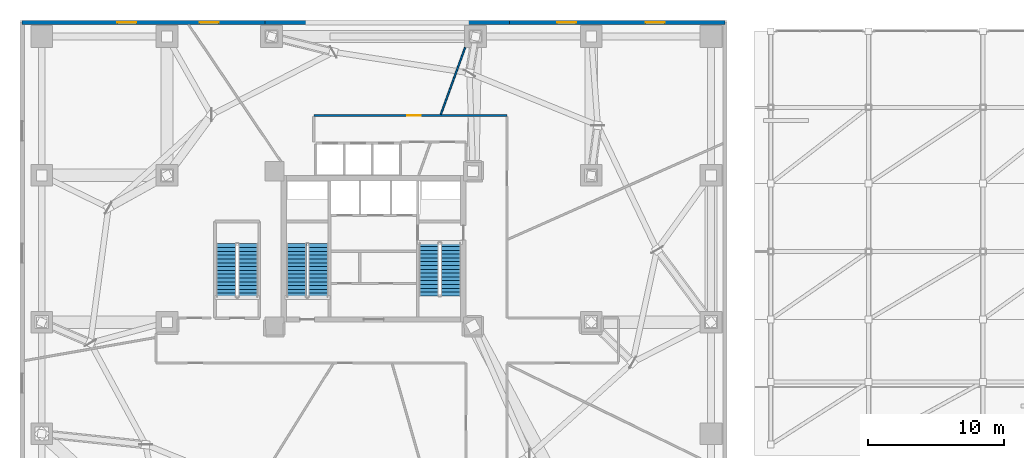
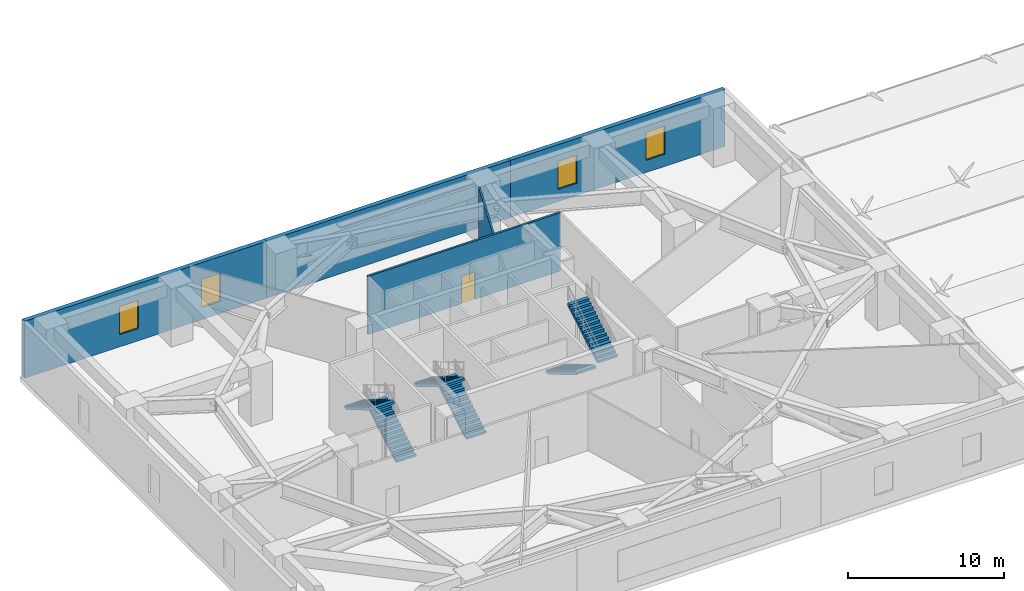
# One storey, part 11 of 13: 6 stair flights, 5 walls, 4 windows, 1 door, 5 openings, 3 elements without a shape of their own.
"""IFC4 building model written with IfcOpenShell, lengths in metres."""

from ifc_helpers import new_model, si_unit, direction, frame, frame_2d, origin, place, context, subcontext, project, spatial, polyline, rectangle, outline, extrude, source, transform, mapped, material, layer, layer_set, type_object, type_shapes, element, fill, aggregate, save


model = new_model("IFC4")

# Units and contexts
model_context = context("Model", 3, precision=1e-05, world=origin(), true_north=direction((0.0, 1.0)))
body_context = subcontext(model_context, "Body", "Model", "MODEL_VIEW")
ifc_project = project(units=[si_unit("LENGTHUNIT", "METRE"), si_unit("AREAUNIT", "SQUARE_METRE"), si_unit("VOLUMEUNIT", "CUBIC_METRE"), si_unit("PLANEANGLEUNIT", "RADIAN"), si_unit("MASSUNIT", "GRAM", prefix="KILO")], contexts=[model_context])

# Site, building, storey
site_placement = place(None, origin())
site = spatial("IfcSite", under=ifc_project, at=site_placement, CompositionType="ELEMENT")
building_placement = place(site_placement, origin())
building = spatial("IfcBuilding", under=site, at=building_placement, Name="Talar Marvaseh", CompositionType="ELEMENT")
storey_placement = place(building_placement, frame((0.0, 0.0, 19.0)))
storey = spatial("IfcBuildingStorey", under=building, at=storey_placement, Name="L04", CompositionType="ELEMENT", Elevation=19.0)

# Wall, openings, windows
ifc_material_1 = material(Name="Precast concrete C45/55", Category="concrete")
ifc_layer_1 = layer(ifc_material_1, 0.31005859375)
ifc_layer_set_1 = layer_set([ifc_layer_1], Name="Precast concrete C45/55")
wall_type_1 = type_object("IfcWallType", Name="Architectural Precast Limestone Podium Facade Wall 310", PredefinedType="SOLIDWALL", material=ifc_layer_set_1)
wall_1_placement = place(storey_placement, frame((0.159912109375, 47.840087890625, 0.0), z_axis=(0.0, 0.0, 1.0), x_axis=(1.0, 0.0, 0.0)))
wall_1 = element("IfcWall", 1, at=wall_1_placement, inside=storey, type_object=wall_type_1, Name="L04 Podium North-West Facade Wall", PredefinedType="SOLIDWALL", context=body_context, shape_type="SweptSolid", body=[
    extrude(rectangle(XDim=17.840087890625, YDim=0.31005859375, at=frame_2d((8.919921875, 0.0))), origin(), (0.0, 0.0, 1.0), 4.449951171875),
])
opening_1_placement = place(wall_1_placement, frame((7.0, 0.0, 0.949951171875)))
opening_1 = element("IfcOpeningElement", 2, at=opening_1_placement, cuts=wall_1, Name="Opening WN-POD14", PredefinedType="OPENING", context=body_context, shape_type="SweptSolid", body=[
    extrude(rectangle(XDim=1.39990234375, YDim=2.199951171875, at=frame_2d((0.699951171875, 1.10009765625))), frame((0.0, 0.1650390625, 0.0), z_axis=(0.0, -1.0, 0.0), x_axis=(1.0, 0.0, 0.0)), (0.0, 0.0, 1.0), 0.330078125),
])
opening_2_placement = place(wall_1_placement, frame((13.050048828125, 0.0, 0.949951171875)))
opening_2 = element("IfcOpeningElement", 3, at=opening_2_placement, cuts=wall_1, Name="Opening WN-POD14", PredefinedType="OPENING", context=body_context, shape_type="SweptSolid", body=[
    extrude(rectangle(XDim=1.39990234375, YDim=2.199951171875, at=frame_2d((0.699951171875, 1.10009765625))), frame((0.0, 0.1650390625, 0.0), z_axis=(0.0, -1.0, 0.0), x_axis=(1.0, 0.0, 0.0)), (0.0, 0.0, 1.0), 0.330078125),
])
ifc_material_2 = material(Name="Laminated Low-E Solar Glass", Category="glass")
window_type = type_object("IfcWindowType", Name="Podium Mezzanine Solar Window 1400x2200", PartitioningType="SINGLE_PANEL", PredefinedType="WINDOW", material=ifc_material_2)
shared_shape_1 = source(origin(), body_context, "Body", "SweptSolid", [
    extrude(rectangle(XDim=1.39990234375, YDim=2.199951171875, at=frame_2d((0.699951171875, 1.10009765625))), frame((0.0, 0.030029296875, 0.0), z_axis=(0.0, -1.0, 0.0), x_axis=(1.0, 0.0, 0.0)), (0.0, 0.0, 1.0), 0.06005859375),
])
type_shapes(window_type, [shared_shape_1])
window_1_placement = place(opening_1_placement, origin())
window_1 = element("IfcWindow", 4, at=window_1_placement, inside=storey, type_object=window_type, Name="L04 Podium Solar Window", OverallHeight=2.199951171875, OverallWidth=1.39990234375, PartitioningType="SINGLE_PANEL", PredefinedType="WINDOW", context=body_context, shape_type="MappedRepresentation", body=[
    mapped(shared_shape_1, transform((0.0, 0.0, 0.0), x_axis=(1.0, 0.0, 0.0), y_axis=(0.0, 1.0, 0.0), z_axis=(0.0, 0.0, 1.0), scale=1.0)),
])
fill(opening_1, window_1)
window_2_placement = place(opening_2_placement, origin())
window_2 = element("IfcWindow", 5, at=window_2_placement, inside=storey, type_object=window_type, Name="L04 Podium Solar Window", OverallHeight=2.199951171875, OverallWidth=1.39990234375, PartitioningType="SINGLE_PANEL", PredefinedType="WINDOW", context=body_context, shape_type="MappedRepresentation", body=[
    mapped(shared_shape_1, transform((0.0, 0.0, 0.0), x_axis=(1.0, 0.0, 0.0), y_axis=(0.0, 1.0, 0.0), z_axis=(0.0, 0.0, 1.0), scale=1.0)),
])
fill(opening_2, window_2)

# Wall
wall_2_placement = place(storey_placement, frame((18.0, 47.840087890625, 0.0), z_axis=(0.0, 0.0, 1.0), x_axis=(1.0, 0.0, 0.0)))
element("IfcWall", 6, at=wall_2_placement, inside=storey, type_object=wall_type_1, Name="L04 Podium North Transfer Facade Wall", PredefinedType="SOLIDWALL", context=body_context, shape_type="SweptSolid", body=[
    extrude(rectangle(XDim=18.0, YDim=0.31005859375, at=frame_2d((9.0, 0.0))), origin(), (0.0, 0.0, 1.0), 4.449951171875),
])

# Wall, openings, windows
wall_3_placement = place(storey_placement, frame((36.0, 47.840087890625, 0.0), z_axis=(0.0, 0.0, 1.0), x_axis=(1.0, 0.0, 0.0)))
wall_3 = element("IfcWall", 7, at=wall_3_placement, inside=storey, type_object=wall_type_1, Name="L04 Podium North-East Facade Wall", PredefinedType="SOLIDWALL", context=body_context, shape_type="SweptSolid", body=[
    extrude(rectangle(XDim=15.840087890625, YDim=0.31005859375, at=frame_2d((7.919921875, 0.0))), origin(), (0.0, 0.0, 1.0), 4.449951171875),
])
opening_3_placement = place(wall_3_placement, frame((3.5, 0.0, 0.949951171875)))
opening_3 = element("IfcOpeningElement", 8, at=opening_3_placement, cuts=wall_3, Name="Opening WN-POD14", PredefinedType="OPENING", context=body_context, shape_type="SweptSolid", body=[
    extrude(rectangle(XDim=1.39990234375, YDim=2.199951171875, at=frame_2d((0.699951171875, 1.10009765625))), frame((0.0, 0.1650390625, 0.0), z_axis=(0.0, -1.0, 0.0), x_axis=(1.0, 0.0, 0.0)), (0.0, 0.0, 1.0), 0.330078125),
])
opening_4_placement = place(wall_3_placement, frame((10.0, 0.0, 0.949951171875)))
opening_4 = element("IfcOpeningElement", 9, at=opening_4_placement, cuts=wall_3, Name="Opening WN-POD14", PredefinedType="OPENING", context=body_context, shape_type="SweptSolid", body=[
    extrude(rectangle(XDim=1.39990234375, YDim=2.199951171875, at=frame_2d((0.699951171875, 1.10009765625))), frame((0.0, 0.1650390625, 0.0), z_axis=(0.0, -1.0, 0.0), x_axis=(1.0, 0.0, 0.0)), (0.0, 0.0, 1.0), 0.330078125),
])
window_3_placement = place(opening_3_placement, origin())
window_3 = element("IfcWindow", 10, at=window_3_placement, inside=storey, type_object=window_type, Name="L04 Podium Solar Window", OverallHeight=2.199951171875, OverallWidth=1.39990234375, PartitioningType="SINGLE_PANEL", PredefinedType="WINDOW", context=body_context, shape_type="MappedRepresentation", body=[
    mapped(shared_shape_1, transform((0.0, 0.0, 0.0), x_axis=(1.0, 0.0, 0.0), y_axis=(0.0, 1.0, 0.0), z_axis=(0.0, 0.0, 1.0), scale=1.0)),
])
fill(opening_3, window_3)
window_4_placement = place(opening_4_placement, origin())
window_4 = element("IfcWindow", 11, at=window_4_placement, inside=storey, type_object=window_type, Name="L04 Podium Solar Window", OverallHeight=2.199951171875, OverallWidth=1.39990234375, PartitioningType="SINGLE_PANEL", PredefinedType="WINDOW", context=body_context, shape_type="MappedRepresentation", body=[
    mapped(shared_shape_1, transform((0.0, 0.0, 0.0), x_axis=(1.0, 0.0, 0.0), y_axis=(0.0, 1.0, 0.0), z_axis=(0.0, 0.0, 1.0), scale=1.0)),
])
fill(opening_4, window_4)

# Wall, opening, door
ifc_material_3 = material(Name="Gypsum Board Partition Assembly")
ifc_layer_2 = layer(ifc_material_3, 0.155029296875)
ifc_layer_set_2 = layer_set([ifc_layer_2], Name="Gypsum Board Partition Assembly")
wall_type_2 = type_object("IfcWallType", Name="Corridor Fire-Rated Acoustic Partition 155", PredefinedType="PARTITIONING", material=ifc_layer_set_2)
wall_4_placement = place(storey_placement, frame((21.60009765625, 41.0, 0.0), z_axis=(0.0, 0.0, 1.0), x_axis=(1.0, 0.0, 0.0)))
wall_4 = element("IfcWall", 12, at=wall_4_placement, inside=storey, type_object=wall_type_2, Name="L04 Interior Partition Wall", PredefinedType="PARTITIONING", context=body_context, shape_type="SweptSolid", body=[
    extrude(rectangle(XDim=14.199951171875, YDim=0.155029296875, at=frame_2d((7.10009765625, 0.0))), origin(), (0.0, 0.0, 1.0), 4.550048828125),
])
opening_5_placement = place(wall_4_placement, frame((6.880859375, 0.0, 0.0)))
opening_5 = element("IfcOpeningElement", 13, at=opening_5_placement, cuts=wall_4, Name="Opening DR-RM100", PredefinedType="OPENING", context=body_context, shape_type="SweptSolid", body=[
    extrude(rectangle(XDim=1.0, YDim=2.14990234375, at=frame_2d((0.5, 1.074951171875))), frame((0.0, 0.08740234375, 0.0), z_axis=(0.0, -1.0, 0.0), x_axis=(1.0, 0.0, 0.0)), (0.0, 0.0, 1.0), 0.175048828125),
])
ifc_material_4 = material(Name="Acoustic Engineered Oak Timber", Category="wood")
door_type = type_object("IfcDoorType", Name="Corridor Fire-Rated Gallery Door 1000x2150", OperationType="NOTDEFINED", PredefinedType="DOOR", material=ifc_material_4)
shared_shape_2 = source(origin(), body_context, "Body", "SweptSolid", [
    extrude(rectangle(XDim=1.0, YDim=2.14990234375, at=frame_2d((0.5, 1.074951171875))), frame((0.0, 0.02490234375, 0.0), z_axis=(0.0, -1.0, 0.0), x_axis=(1.0, 0.0, 0.0)), (0.0, 0.0, 1.0), 0.050048828125),
])
type_shapes(door_type, [shared_shape_2])
door_placement = place(opening_5_placement, origin())
door = element("IfcDoor", 14, at=door_placement, inside=storey, type_object=door_type, Name="L04 Podium Transfer Truss Mechanical Plant Room 2 Door", OperationType="SINGLE_SWING_RIGHT", OverallHeight=2.14990234375, OverallWidth=1.0, PredefinedType="DOOR", context=body_context, shape_type="MappedRepresentation", body=[
    mapped(shared_shape_2, transform((0.0, 0.0, 0.0), x_axis=(1.0, 0.0, 0.0), y_axis=(0.0, 1.0, 0.0), z_axis=(0.0, 0.0, 1.0), scale=1.0)),
])
fill(opening_5, door)

# Wall
ifc_layer_3 = layer(ifc_material_3, 0.1201171875)
ifc_layer_set_3 = layer_set([ifc_layer_3], Name="Gypsum Board Partition Assembly")
wall_type_3 = type_object("IfcWallType", Name="Demountable Studio Room Partition 120", PredefinedType="PARTITIONING", material=ifc_layer_set_3)
wall_5_placement = place(storey_placement, frame((30.9404296875, 41.08349609375, 0.0), z_axis=(0.0, 0.0, 1.0), x_axis=(0.34265121701, 0.939462688712, 0.0)))
element("IfcWall", 15, at=wall_5_placement, inside=storey, type_object=wall_type_3, Name="L04 Interior Partition Wall", PredefinedType="PARTITIONING", context=body_context, shape_type="SweptSolid", body=[
    extrude(rectangle(XDim=5.22265625, YDim=0.1201171875, at=frame_2d((2.611328125, 0.0))), origin(), (0.0, 0.0, 1.0), 4.550048828125),
])

# Stair, stair flights
ifc_material_5 = material(Name="Concrete C40/50", Category="concrete")
stair_type = type_object("IfcStairType", Name="Reinforced Concrete Half-Turn Exit Stair Type A", PredefinedType="HALF_TURN_STAIR", material=ifc_material_5)
stair_1_placement = place(storey_placement, origin())
stair_1 = element("IfcStair", 16, at=stair_1_placement, inside=storey, type_object=stair_type, Name="L04 Tower West Core Exit Stair", PredefinedType="HALF_TURN_STAIR")
ifc_layer_4 = layer(ifc_material_5, 0.18505859375)
ifc_layer_set_4 = layer_set([ifc_layer_4], Name="Concrete C40/50")
stair_flight_type = type_object("IfcStairFlightType", Name="Reinforced Concrete Heavy Podium Stair Flight 185", PredefinedType="STRAIGHT", material=ifc_layer_set_4)
stair_flight_1_placement = place(storey_placement, frame((21.93505859375, 27.64990234375, 0.0), z_axis=(0.0, 0.0, 1.0), x_axis=(0.0, 1.0, 0.0)))
stair_flight_1 = element("IfcStairFlight", 17, at=stair_flight_1_placement, type_object=stair_flight_type, Name="ST-1 flight 1", NumberOfRisers=15, NumberOfTreads=14, PredefinedType="STRAIGHT", RiserHeight=0.166666667, TreadLength=0.28, context=body_context, shape_type="SweptSolid", body=[
    extrude(outline(polyline([(0.0, 0.0), (0.0, 0.166748046875), (0.280029296875, 0.166748046875), (0.280029296875, 0.333251953125), (0.56005859375, 0.333251953125), (0.56005859375, 0.5), (0.840087890625, 0.5), (0.840087890625, 0.666748046875), (1.1201171875, 0.666748046875), (1.1201171875, 0.833251953125), (1.39990234375, 0.833251953125), (1.39990234375, 1.0), (1.679931640625, 1.0), (1.679931640625, 1.166748046875), (1.9599609375, 1.166748046875), (1.9599609375, 1.333251953125), (2.239990234375, 1.333251953125), (2.239990234375, 1.5), (2.52001953125, 1.5), (2.52001953125, 1.666748046875), (2.800048828125, 1.666748046875), (2.800048828125, 1.833251953125), (3.080078125, 1.833251953125), (3.080078125, 2.0), (3.360107421875, 2.0), (3.360107421875, 2.166748046875), (3.639892578125, 2.166748046875), (3.639892578125, 2.333251953125), (3.919921875, 2.333251953125), (3.919921875, 2.5), (3.919921875, 2.147216796875), (0.312744140625, 0.0), (0.0, 0.0)])), frame((0.0, 0.72509765625, 0.0), z_axis=(0.0, -1.0, 0.0), x_axis=(1.0, 0.0, 0.0)), (0.0, 0.0, 1.0), 1.449951171875),
])
stair_flight_2_placement = place(storey_placement, frame((20.324951171875, 31.570068359375, 2.5), z_axis=(0.0, 0.0, 1.0), x_axis=(0.0, -1.0, 0.0)))
stair_flight_2 = element("IfcStairFlight", 18, at=stair_flight_2_placement, type_object=stair_flight_type, Name="ST-1 flight 2", NumberOfRisers=15, NumberOfTreads=14, PredefinedType="STRAIGHT", RiserHeight=0.166666667, TreadLength=0.28, context=body_context, shape_type="SweptSolid", body=[
    extrude(outline(polyline([(0.0, 0.0), (0.0, 0.166748046875), (0.280029296875, 0.166748046875), (0.280029296875, 0.333251953125), (0.56005859375, 0.333251953125), (0.56005859375, 0.5), (0.840087890625, 0.5), (0.840087890625, 0.666748046875), (1.1201171875, 0.666748046875), (1.1201171875, 0.833251953125), (1.39990234375, 0.833251953125), (1.39990234375, 1.0), (1.679931640625, 1.0), (1.679931640625, 1.166748046875), (1.9599609375, 1.166748046875), (1.9599609375, 1.333251953125), (2.239990234375, 1.333251953125), (2.239990234375, 1.5), (2.52001953125, 1.5), (2.52001953125, 1.666748046875), (2.800048828125, 1.666748046875), (2.800048828125, 1.833251953125), (3.080078125, 1.833251953125), (3.080078125, 2.0), (3.360107421875, 2.0), (3.360107421875, 2.166748046875), (3.639892578125, 2.166748046875), (3.639892578125, 2.333251953125), (3.919921875, 2.333251953125), (3.919921875, 2.5), (3.919921875, 2.147216796875), (0.312744140625, 0.0), (0.0, 0.0)])), frame((0.0, 0.72509765625, 0.0), z_axis=(0.0, -1.0, 0.0), x_axis=(1.0, 0.0, 0.0)), (0.0, 0.0, 1.0), 1.449951171875),
])
aggregate(stair_1, [stair_flight_1, stair_flight_2])

stair_2_placement = place(storey_placement, origin())
stair_2 = element("IfcStair", 19, at=stair_2_placement, inside=storey, type_object=stair_type, Name="L04 Tower East Core Exit Stair", PredefinedType="HALF_TURN_STAIR")
stair_flight_3_placement = place(storey_placement, frame((30.06494140625, 31.64990234375, 0.0), z_axis=(0.0, 0.0, 1.0), x_axis=(0.0, -1.0, 0.0)))
stair_flight_3 = element("IfcStairFlight", 20, at=stair_flight_3_placement, type_object=stair_flight_type, Name="ST-2 flight 1", NumberOfRisers=15, NumberOfTreads=14, PredefinedType="STRAIGHT", RiserHeight=0.166666667, TreadLength=0.28, context=body_context, shape_type="SweptSolid", body=[
    extrude(outline(polyline([(0.0, 0.0), (0.0, 0.166748046875), (0.280029296875, 0.166748046875), (0.280029296875, 0.333251953125), (0.56005859375, 0.333251953125), (0.56005859375, 0.5), (0.840087890625, 0.5), (0.840087890625, 0.666748046875), (1.1201171875, 0.666748046875), (1.1201171875, 0.833251953125), (1.39990234375, 0.833251953125), (1.39990234375, 1.0), (1.679931640625, 1.0), (1.679931640625, 1.166748046875), (1.9599609375, 1.166748046875), (1.9599609375, 1.333251953125), (2.239990234375, 1.333251953125), (2.239990234375, 1.5), (2.52001953125, 1.5), (2.52001953125, 1.666748046875), (2.800048828125, 1.666748046875), (2.800048828125, 1.833251953125), (3.080078125, 1.833251953125), (3.080078125, 2.0), (3.360107421875, 2.0), (3.360107421875, 2.166748046875), (3.639892578125, 2.166748046875), (3.639892578125, 2.333251953125), (3.919921875, 2.333251953125), (3.919921875, 2.5), (3.919921875, 2.147216796875), (0.312744140625, 0.0), (0.0, 0.0)])), frame((0.0, 0.72509765625, 0.0), z_axis=(0.0, -1.0, 0.0), x_axis=(1.0, 0.0, 0.0)), (0.0, 0.0, 1.0), 1.449951171875),
])
stair_flight_4_placement = place(storey_placement, frame((31.675048828125, 27.72998046875, 2.5), z_axis=(0.0, 0.0, 1.0), x_axis=(0.0, 1.0, 0.0)))
stair_flight_4 = element("IfcStairFlight", 21, at=stair_flight_4_placement, type_object=stair_flight_type, Name="ST-2 flight 2", NumberOfRisers=15, NumberOfTreads=14, PredefinedType="STRAIGHT", RiserHeight=0.166666667, TreadLength=0.28, context=body_context, shape_type="SweptSolid", body=[
    extrude(outline(polyline([(0.0, 0.0), (0.0, 0.166748046875), (0.280029296875, 0.166748046875), (0.280029296875, 0.333251953125), (0.56005859375, 0.333251953125), (0.56005859375, 0.5), (0.840087890625, 0.5), (0.840087890625, 0.666748046875), (1.1201171875, 0.666748046875), (1.1201171875, 0.833251953125), (1.39990234375, 0.833251953125), (1.39990234375, 1.0), (1.679931640625, 1.0), (1.679931640625, 1.166748046875), (1.9599609375, 1.166748046875), (1.9599609375, 1.333251953125), (2.239990234375, 1.333251953125), (2.239990234375, 1.5), (2.52001953125, 1.5), (2.52001953125, 1.666748046875), (2.800048828125, 1.666748046875), (2.800048828125, 1.833251953125), (3.080078125, 1.833251953125), (3.080078125, 2.0), (3.360107421875, 2.0), (3.360107421875, 2.166748046875), (3.639892578125, 2.166748046875), (3.639892578125, 2.333251953125), (3.919921875, 2.333251953125), (3.919921875, 2.5), (3.919921875, 2.147216796875), (0.312744140625, 0.0), (0.0, 0.0)])), frame((0.0, 0.72509765625, 0.0), z_axis=(0.0, -1.0, 0.0), x_axis=(1.0, 0.0, 0.0)), (0.0, 0.0, 1.0), 1.449951171875),
])
aggregate(stair_2, [stair_flight_3, stair_flight_4])

stair_3_placement = place(storey_placement, origin())
stair_3 = element("IfcStair", 22, at=stair_3_placement, inside=storey, type_object=stair_type, Name="L04 Museum & Podium Auxiliary Exit Stair", PredefinedType="HALF_TURN_STAIR")
stair_flight_5_placement = place(storey_placement, frame((16.77490234375, 27.64990234375, 0.0), z_axis=(0.0, 0.0, 1.0), x_axis=(0.0, 1.0, 0.0)))
stair_flight_5 = element("IfcStairFlight", 23, at=stair_flight_5_placement, type_object=stair_flight_type, Name="ST-3 flight 1", NumberOfRisers=15, NumberOfTreads=14, PredefinedType="STRAIGHT", RiserHeight=0.166666667, TreadLength=0.28, context=body_context, shape_type="SweptSolid", body=[
    extrude(outline(polyline([(0.0, 0.0), (0.0, 0.166748046875), (0.280029296875, 0.166748046875), (0.280029296875, 0.333251953125), (0.56005859375, 0.333251953125), (0.56005859375, 0.5), (0.840087890625, 0.5), (0.840087890625, 0.666748046875), (1.1201171875, 0.666748046875), (1.1201171875, 0.833251953125), (1.39990234375, 0.833251953125), (1.39990234375, 1.0), (1.679931640625, 1.0), (1.679931640625, 1.166748046875), (1.9599609375, 1.166748046875), (1.9599609375, 1.333251953125), (2.239990234375, 1.333251953125), (2.239990234375, 1.5), (2.52001953125, 1.5), (2.52001953125, 1.666748046875), (2.800048828125, 1.666748046875), (2.800048828125, 1.833251953125), (3.080078125, 1.833251953125), (3.080078125, 2.0), (3.360107421875, 2.0), (3.360107421875, 2.166748046875), (3.639892578125, 2.166748046875), (3.639892578125, 2.333251953125), (3.919921875, 2.333251953125), (3.919921875, 2.5), (3.919921875, 2.147216796875), (0.312744140625, 0.0), (0.0, 0.0)])), frame((0.0, 0.72509765625, 0.0), z_axis=(0.0, -1.0, 0.0), x_axis=(1.0, 0.0, 0.0)), (0.0, 0.0, 1.0), 1.449951171875),
])
stair_flight_6_placement = place(storey_placement, frame((15.1650390625, 31.570068359375, 2.5), z_axis=(0.0, 0.0, 1.0), x_axis=(0.0, -1.0, 0.0)))
stair_flight_6 = element("IfcStairFlight", 24, at=stair_flight_6_placement, type_object=stair_flight_type, Name="ST-3 flight 2", NumberOfRisers=15, NumberOfTreads=14, PredefinedType="STRAIGHT", RiserHeight=0.166666667, TreadLength=0.28, context=body_context, shape_type="SweptSolid", body=[
    extrude(outline(polyline([(0.0, 0.0), (0.0, 0.166748046875), (0.280029296875, 0.166748046875), (0.280029296875, 0.333251953125), (0.56005859375, 0.333251953125), (0.56005859375, 0.5), (0.840087890625, 0.5), (0.840087890625, 0.666748046875), (1.1201171875, 0.666748046875), (1.1201171875, 0.833251953125), (1.39990234375, 0.833251953125), (1.39990234375, 1.0), (1.679931640625, 1.0), (1.679931640625, 1.166748046875), (1.9599609375, 1.166748046875), (1.9599609375, 1.333251953125), (2.239990234375, 1.333251953125), (2.239990234375, 1.5), (2.52001953125, 1.5), (2.52001953125, 1.666748046875), (2.800048828125, 1.666748046875), (2.800048828125, 1.833251953125), (3.080078125, 1.833251953125), (3.080078125, 2.0), (3.360107421875, 2.0), (3.360107421875, 2.166748046875), (3.639892578125, 2.166748046875), (3.639892578125, 2.333251953125), (3.919921875, 2.333251953125), (3.919921875, 2.5), (3.919921875, 2.147216796875), (0.312744140625, 0.0), (0.0, 0.0)])), frame((0.0, 0.72509765625, 0.0), z_axis=(0.0, -1.0, 0.0), x_axis=(1.0, 0.0, 0.0)), (0.0, 0.0, 1.0), 1.449951171875),
])
aggregate(stair_3, [stair_flight_5, stair_flight_6])

save(model, "model.ifc")
